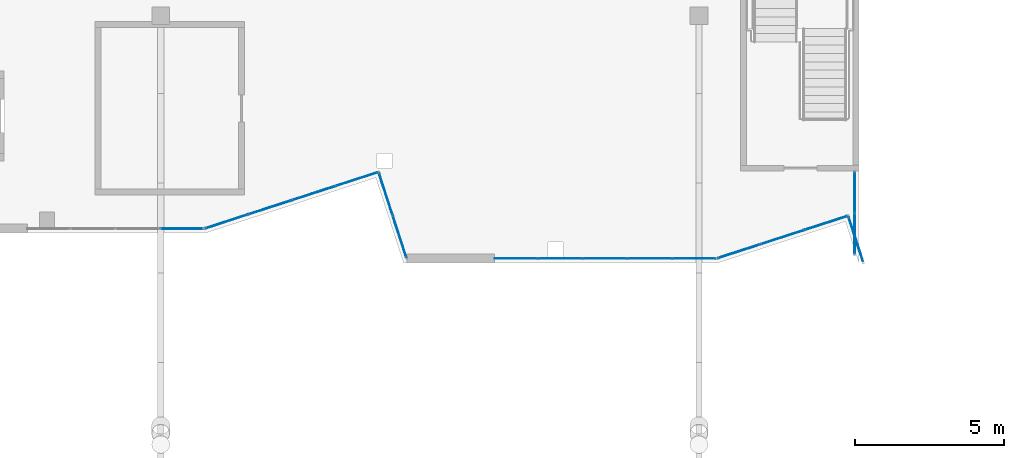
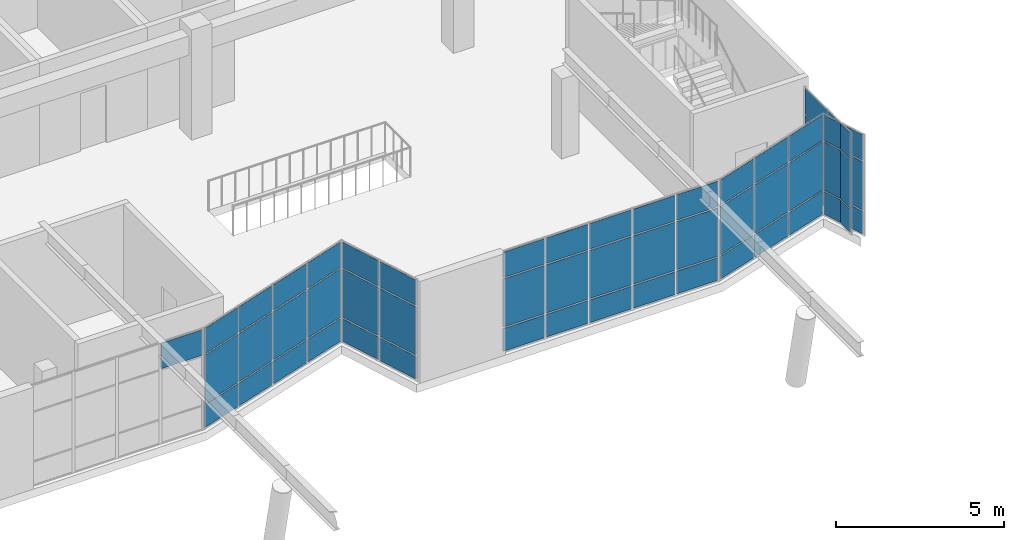
# One storey, part 48 of 65: 52 plates, 7 elements without a shape of their own.
"""IFC4 building model written with IfcOpenShell, lengths in metres."""

from ifc_helpers import new_model, si_unit, direction, frame, origin, origin_2d, place, context, subcontext, project, spatial, rectangle, extrude, material, layer, layer_set, type_object, element, aggregate, save


model = new_model("IFC4")

# Units and contexts
model_context = context("Model", 3, precision=1e-05, world=origin(), true_north=direction((0.0, 1.0)))
body_context = subcontext(model_context, "Body", "Model", "MODEL_VIEW")
ifc_project = project(units=[si_unit("LENGTHUNIT", "METRE"), si_unit("AREAUNIT", "SQUARE_METRE"), si_unit("VOLUMEUNIT", "CUBIC_METRE"), si_unit("PLANEANGLEUNIT", "RADIAN"), si_unit("MASSUNIT", "GRAM", prefix="KILO")], contexts=[model_context])

# Site, building, storey
site_placement = place(None, origin())
site = spatial("IfcSite", under=ifc_project, at=site_placement, CompositionType="ELEMENT")
building_placement = place(site_placement, origin())
building = spatial("IfcBuilding", under=site, at=building_placement, Name="Tuart Plaza Theatre", CompositionType="ELEMENT")
storey_placement = place(building_placement, frame((0.0, 0.0, 9.5)))
storey = spatial("IfcBuildingStorey", under=building, at=storey_placement, Name="L02", CompositionType="ELEMENT", Elevation=9.5)

# Curtain wall, plate
ifc_material_1 = material(Name="Aluminium and glass", Category="aluminium")
ifc_layer_1 = layer(ifc_material_1, 0.10009765625)
ifc_layer_set_1 = layer_set([ifc_layer_1], Name="CURTAIN WALL 1500 module")
curtain_wall_type = type_object("IfcCurtainWallType", Name="CURTAIN WALL 1500 module", PredefinedType="NOTDEFINED", material=ifc_layer_set_1)
curtain_wall_1_placement = place(storey_placement, origin())
curtain_wall_1 = element("IfcCurtainWall", 1, at=curtain_wall_1_placement, inside=storey, type_object=curtain_wall_type, Name="CW27", PredefinedType="NOTDEFINED")
ifc_material_2 = material(Name="Glass", Category="glass")
ifc_layer_2 = layer(ifc_material_2, 0.028076171875)
ifc_layer_set_2 = layer_set([ifc_layer_2], Name="CURTAIN PANEL double glazed 28")
plate_type = type_object("IfcPlateType", Name="CURTAIN PANEL double glazed 28", PredefinedType="CURTAIN_PANEL", material=ifc_layer_set_2)
plate_1_placement = place(storey_placement, frame((87.70361328125, 42.47802734375, 2.72509765625), z_axis=(0.0, 0.0, 1.0), x_axis=(1.0, 0.0, 0.0)))
plate_1 = element("IfcPlate", 2, at=plate_1_placement, type_object=plate_type, Name="CW27 panel 4.3", PredefinedType="CURTAIN_PANEL", context=body_context, shape_type="SweptSolid", body=[
    extrude(rectangle(XDim=1.4189453125, YDim=0.028076171875, at=origin_2d()), origin(), (0.0, 0.0, 1.0), 0.925048828125),
])
aggregate(curtain_wall_1, [plate_1])

# Curtain wall, plates
curtain_wall_2_placement = place(storey_placement, origin())
curtain_wall_2 = element("IfcCurtainWall", 3, at=curtain_wall_2_placement, inside=storey, type_object=curtain_wall_type, Name="CW28", PredefinedType="NOTDEFINED")
plate_2_placement = place(storey_placement, frame((89.203369140625, 42.718505859375, 0.0498046875), z_axis=(0.0, 0.0, 1.0), x_axis=(0.95105611396, 0.309018232632, 0.0)))
plate_2 = element("IfcPlate", 4, at=plate_2_placement, type_object=plate_type, Name="CW28 panel 1.1", PredefinedType="CURTAIN_PANEL", context=body_context, shape_type="SweptSolid", body=[
    extrude(rectangle(XDim=1.45654296875, YDim=0.028076171875, at=origin_2d()), origin(), (0.0, 0.0, 1.0), 0.824951171875),
])
plate_3_placement = place(storey_placement, frame((89.203369140625, 42.718505859375, 0.925048828125), z_axis=(0.0, 0.0, 1.0), x_axis=(0.95105611396, 0.309018232632, 0.0)))
plate_3 = element("IfcPlate", 5, at=plate_3_placement, type_object=plate_type, Name="CW28 panel 1.2", PredefinedType="CURTAIN_PANEL", context=body_context, shape_type="SweptSolid", body=[
    extrude(rectangle(XDim=1.45654296875, YDim=0.028076171875, at=origin_2d()), origin(), (0.0, 0.0, 1.0), 1.75),
])
plate_4_placement = place(storey_placement, frame((89.203369140625, 42.718505859375, 2.72509765625), z_axis=(0.0, 0.0, 1.0), x_axis=(0.95105611396, 0.309018232632, 0.0)))
plate_4 = element("IfcPlate", 6, at=plate_4_placement, type_object=plate_type, Name="CW28 panel 1.3", PredefinedType="CURTAIN_PANEL", context=body_context, shape_type="SweptSolid", body=[
    extrude(rectangle(XDim=1.45654296875, YDim=0.028076171875, at=origin_2d()), origin(), (0.0, 0.0, 1.0), 0.925048828125),
])
plate_5_placement = place(storey_placement, frame((90.64794921875, 43.18798828125, 0.0498046875), z_axis=(0.0, 0.0, 1.0), x_axis=(0.95105611396, 0.309018232632, 0.0)))
plate_5 = element("IfcPlate", 7, at=plate_5_placement, type_object=plate_type, Name="CW28 panel 2.1", PredefinedType="CURTAIN_PANEL", context=body_context, shape_type="SweptSolid", body=[
    extrude(rectangle(XDim=1.4814453125, YDim=0.028076171875, at=origin_2d()), origin(), (0.0, 0.0, 1.0), 0.824951171875),
])
plate_6_placement = place(storey_placement, frame((90.64794921875, 43.18798828125, 0.925048828125), z_axis=(0.0, 0.0, 1.0), x_axis=(0.95105611396, 0.309018232632, 0.0)))
plate_6 = element("IfcPlate", 8, at=plate_6_placement, type_object=plate_type, Name="CW28 panel 2.2", PredefinedType="CURTAIN_PANEL", context=body_context, shape_type="SweptSolid", body=[
    extrude(rectangle(XDim=1.4814453125, YDim=0.028076171875, at=origin_2d()), origin(), (0.0, 0.0, 1.0), 1.75),
])
plate_7_placement = place(storey_placement, frame((90.64794921875, 43.18798828125, 2.72509765625), z_axis=(0.0, 0.0, 1.0), x_axis=(0.95105611396, 0.309018232632, 0.0)))
plate_7 = element("IfcPlate", 9, at=plate_7_placement, type_object=plate_type, Name="CW28 panel 2.3", PredefinedType="CURTAIN_PANEL", context=body_context, shape_type="SweptSolid", body=[
    extrude(rectangle(XDim=1.4814453125, YDim=0.028076171875, at=origin_2d()), origin(), (0.0, 0.0, 1.0), 0.925048828125),
])
plate_8_placement = place(storey_placement, frame((92.1044921875, 43.6611328125, 0.0498046875), z_axis=(0.0, 0.0, 1.0), x_axis=(0.95105611396, 0.309018232632, 0.0)))
plate_8 = element("IfcPlate", 10, at=plate_8_placement, type_object=plate_type, Name="CW28 panel 3.1", PredefinedType="CURTAIN_PANEL", context=body_context, shape_type="SweptSolid", body=[
    extrude(rectangle(XDim=1.4814453125, YDim=0.028076171875, at=origin_2d()), origin(), (0.0, 0.0, 1.0), 0.824951171875),
])
plate_9_placement = place(storey_placement, frame((92.1044921875, 43.6611328125, 0.925048828125), z_axis=(0.0, 0.0, 1.0), x_axis=(0.95105611396, 0.309018232632, 0.0)))
plate_9 = element("IfcPlate", 11, at=plate_9_placement, type_object=plate_type, Name="CW28 panel 3.2", PredefinedType="CURTAIN_PANEL", context=body_context, shape_type="SweptSolid", body=[
    extrude(rectangle(XDim=1.4814453125, YDim=0.028076171875, at=origin_2d()), origin(), (0.0, 0.0, 1.0), 1.75),
])
plate_10_placement = place(storey_placement, frame((92.1044921875, 43.6611328125, 2.72509765625), z_axis=(0.0, 0.0, 1.0), x_axis=(0.95105611396, 0.309018232632, 0.0)))
plate_10 = element("IfcPlate", 12, at=plate_10_placement, type_object=plate_type, Name="CW28 panel 3.3", PredefinedType="CURTAIN_PANEL", context=body_context, shape_type="SweptSolid", body=[
    extrude(rectangle(XDim=1.4814453125, YDim=0.028076171875, at=origin_2d()), origin(), (0.0, 0.0, 1.0), 0.925048828125),
])
plate_11_placement = place(storey_placement, frame((93.549072265625, 44.130615234375, 0.0498046875), z_axis=(0.0, 0.0, 1.0), x_axis=(0.95105611396, 0.309018232632, 0.0)))
plate_11 = element("IfcPlate", 13, at=plate_11_placement, type_object=plate_type, Name="CW28 panel 4.1", PredefinedType="CURTAIN_PANEL", context=body_context, shape_type="SweptSolid", body=[
    extrude(rectangle(XDim=1.45654296875, YDim=0.028076171875, at=origin_2d()), origin(), (0.0, 0.0, 1.0), 0.824951171875),
])
plate_12_placement = place(storey_placement, frame((93.549072265625, 44.130615234375, 0.925048828125), z_axis=(0.0, 0.0, 1.0), x_axis=(0.95105611396, 0.309018232632, 0.0)))
plate_12 = element("IfcPlate", 14, at=plate_12_placement, type_object=plate_type, Name="CW28 panel 4.2", PredefinedType="CURTAIN_PANEL", context=body_context, shape_type="SweptSolid", body=[
    extrude(rectangle(XDim=1.45654296875, YDim=0.028076171875, at=origin_2d()), origin(), (0.0, 0.0, 1.0), 1.75),
])
plate_13_placement = place(storey_placement, frame((93.549072265625, 44.130615234375, 2.72509765625), z_axis=(0.0, 0.0, 1.0), x_axis=(0.95105611396, 0.309018232632, 0.0)))
plate_13 = element("IfcPlate", 15, at=plate_13_placement, type_object=plate_type, Name="CW28 panel 4.3", PredefinedType="CURTAIN_PANEL", context=body_context, shape_type="SweptSolid", body=[
    extrude(rectangle(XDim=1.45654296875, YDim=0.028076171875, at=origin_2d()), origin(), (0.0, 0.0, 1.0), 0.925048828125),
])
aggregate(curtain_wall_2, [plate_2, plate_3, plate_4, plate_5, plate_6, plate_7, plate_8, plate_9, plate_10, plate_11, plate_12, plate_13])

curtain_wall_3_placement = place(storey_placement, origin())
curtain_wall_3 = element("IfcCurtainWall", 16, at=curtain_wall_3_placement, inside=storey, type_object=curtain_wall_type, Name="CW29", PredefinedType="NOTDEFINED")
plate_14_placement = place(storey_placement, frame((94.528076171875, 43.63623046875, 0.0498046875), z_axis=(0.0, 0.0, 1.0), x_axis=(0.309018232665, -0.951056113949, 0.0)))
plate_14 = element("IfcPlate", 17, at=plate_14_placement, type_object=plate_type, Name="CW29 panel 1.1", PredefinedType="CURTAIN_PANEL", context=body_context, shape_type="SweptSolid", body=[
    extrude(rectangle(XDim=1.4453125, YDim=0.028076171875, at=origin_2d()), origin(), (0.0, 0.0, 1.0), 0.824951171875),
])
plate_15_placement = place(storey_placement, frame((94.528076171875, 43.63623046875, 0.925048828125), z_axis=(0.0, 0.0, 1.0), x_axis=(0.309018232665, -0.951056113949, 0.0)))
plate_15 = element("IfcPlate", 18, at=plate_15_placement, type_object=plate_type, Name="CW29 panel 1.2", PredefinedType="CURTAIN_PANEL", context=body_context, shape_type="SweptSolid", body=[
    extrude(rectangle(XDim=1.4453125, YDim=0.028076171875, at=origin_2d()), origin(), (0.0, 0.0, 1.0), 1.75),
])
plate_16_placement = place(storey_placement, frame((94.528076171875, 43.63623046875, 2.72509765625), z_axis=(0.0, 0.0, 1.0), x_axis=(0.309018232665, -0.951056113949, 0.0)))
plate_16 = element("IfcPlate", 19, at=plate_16_placement, type_object=plate_type, Name="CW29 panel 1.3", PredefinedType="CURTAIN_PANEL", context=body_context, shape_type="SweptSolid", body=[
    extrude(rectangle(XDim=1.4453125, YDim=0.028076171875, at=origin_2d()), origin(), (0.0, 0.0, 1.0), 0.925048828125),
])
plate_17_placement = place(storey_placement, frame((94.990234375, 42.2138671875, 0.0498046875), z_axis=(0.0, 0.0, 1.0), x_axis=(0.309018232665, -0.951056113949, 0.0)))
plate_17 = element("IfcPlate", 20, at=plate_17_placement, type_object=plate_type, Name="CW29 panel 2.1", PredefinedType="CURTAIN_PANEL", context=body_context, shape_type="SweptSolid", body=[
    extrude(rectangle(XDim=1.4453125, YDim=0.028076171875, at=origin_2d()), origin(), (0.0, 0.0, 1.0), 0.824951171875),
])
plate_18_placement = place(storey_placement, frame((94.990234375, 42.2138671875, 0.925048828125), z_axis=(0.0, 0.0, 1.0), x_axis=(0.309018232665, -0.951056113949, 0.0)))
plate_18 = element("IfcPlate", 21, at=plate_18_placement, type_object=plate_type, Name="CW29 panel 2.2", PredefinedType="CURTAIN_PANEL", context=body_context, shape_type="SweptSolid", body=[
    extrude(rectangle(XDim=1.4453125, YDim=0.028076171875, at=origin_2d()), origin(), (0.0, 0.0, 1.0), 1.75),
])
plate_19_placement = place(storey_placement, frame((94.990234375, 42.2138671875, 2.72509765625), z_axis=(0.0, 0.0, 1.0), x_axis=(0.309018232665, -0.951056113949, 0.0)))
plate_19 = element("IfcPlate", 22, at=plate_19_placement, type_object=plate_type, Name="CW29 panel 2.3", PredefinedType="CURTAIN_PANEL", context=body_context, shape_type="SweptSolid", body=[
    extrude(rectangle(XDim=1.4453125, YDim=0.028076171875, at=origin_2d()), origin(), (0.0, 0.0, 1.0), 0.925048828125),
])
aggregate(curtain_wall_3, [plate_14, plate_15, plate_16, plate_17, plate_18, plate_19])

curtain_wall_4_placement = place(storey_placement, origin())
curtain_wall_4 = element("IfcCurtainWall", 23, at=curtain_wall_4_placement, inside=storey, type_object=curtain_wall_type, Name="CW30", PredefinedType="NOTDEFINED")
plate_20_placement = place(storey_placement, frame((98.880126953125, 41.47900390625, 0.0498046875), z_axis=(0.0, 0.0, 1.0), x_axis=(1.0, 0.0, 0.0)))
plate_20 = element("IfcPlate", 24, at=plate_20_placement, type_object=plate_type, Name="CW30 panel 1.1", PredefinedType="CURTAIN_PANEL", context=body_context, shape_type="SweptSolid", body=[
    extrude(rectangle(XDim=1.420166015625, YDim=0.028076171875, at=origin_2d()), origin(), (0.0, 0.0, 1.0), 0.824951171875),
])
plate_21_placement = place(storey_placement, frame((98.880126953125, 41.47900390625, 0.925048828125), z_axis=(0.0, 0.0, 1.0), x_axis=(1.0, 0.0, 0.0)))
plate_21 = element("IfcPlate", 25, at=plate_21_placement, type_object=plate_type, Name="CW30 panel 1.2", PredefinedType="CURTAIN_PANEL", context=body_context, shape_type="SweptSolid", body=[
    extrude(rectangle(XDim=1.420166015625, YDim=0.028076171875, at=origin_2d()), origin(), (0.0, 0.0, 1.0), 1.75),
])
plate_22_placement = place(storey_placement, frame((98.880126953125, 41.47900390625, 2.72509765625), z_axis=(0.0, 0.0, 1.0), x_axis=(1.0, 0.0, 0.0)))
plate_22 = element("IfcPlate", 26, at=plate_22_placement, type_object=plate_type, Name="CW30 panel 1.3", PredefinedType="CURTAIN_PANEL", context=body_context, shape_type="SweptSolid", body=[
    extrude(rectangle(XDim=1.420166015625, YDim=0.028076171875, at=origin_2d()), origin(), (0.0, 0.0, 1.0), 0.925048828125),
])
plate_23_placement = place(storey_placement, frame((100.36279296875, 41.47900390625, 0.0498046875), z_axis=(0.0, 0.0, 1.0), x_axis=(1.0, 0.0, 0.0)))
plate_23 = element("IfcPlate", 27, at=plate_23_placement, type_object=plate_type, Name="CW30 panel 2.1", PredefinedType="CURTAIN_PANEL", context=body_context, shape_type="SweptSolid", body=[
    extrude(rectangle(XDim=1.4453125, YDim=0.028076171875, at=origin_2d()), origin(), (0.0, 0.0, 1.0), 0.824951171875),
])
plate_24_placement = place(storey_placement, frame((100.36279296875, 41.47900390625, 0.925048828125), z_axis=(0.0, 0.0, 1.0), x_axis=(1.0, 0.0, 0.0)))
plate_24 = element("IfcPlate", 28, at=plate_24_placement, type_object=plate_type, Name="CW30 panel 2.2", PredefinedType="CURTAIN_PANEL", context=body_context, shape_type="SweptSolid", body=[
    extrude(rectangle(XDim=1.4453125, YDim=0.028076171875, at=origin_2d()), origin(), (0.0, 0.0, 1.0), 1.75),
])
plate_25_placement = place(storey_placement, frame((100.36279296875, 41.47900390625, 2.72509765625), z_axis=(0.0, 0.0, 1.0), x_axis=(1.0, 0.0, 0.0)))
plate_25 = element("IfcPlate", 29, at=plate_25_placement, type_object=plate_type, Name="CW30 panel 2.3", PredefinedType="CURTAIN_PANEL", context=body_context, shape_type="SweptSolid", body=[
    extrude(rectangle(XDim=1.4453125, YDim=0.028076171875, at=origin_2d()), origin(), (0.0, 0.0, 1.0), 0.925048828125),
])
plate_26_placement = place(storey_placement, frame((101.858154296875, 41.47900390625, 0.0498046875), z_axis=(0.0, 0.0, 1.0), x_axis=(1.0, 0.0, 0.0)))
plate_26 = element("IfcPlate", 30, at=plate_26_placement, type_object=plate_type, Name="CW30 panel 3.1", PredefinedType="CURTAIN_PANEL", context=body_context, shape_type="SweptSolid", body=[
    extrude(rectangle(XDim=1.4453125, YDim=0.028076171875, at=origin_2d()), origin(), (0.0, 0.0, 1.0), 0.824951171875),
])
plate_27_placement = place(storey_placement, frame((101.858154296875, 41.47900390625, 0.925048828125), z_axis=(0.0, 0.0, 1.0), x_axis=(1.0, 0.0, 0.0)))
plate_27 = element("IfcPlate", 31, at=plate_27_placement, type_object=plate_type, Name="CW30 panel 3.2", PredefinedType="CURTAIN_PANEL", context=body_context, shape_type="SweptSolid", body=[
    extrude(rectangle(XDim=1.4453125, YDim=0.028076171875, at=origin_2d()), origin(), (0.0, 0.0, 1.0), 1.75),
])
plate_28_placement = place(storey_placement, frame((101.858154296875, 41.47900390625, 2.72509765625), z_axis=(0.0, 0.0, 1.0), x_axis=(1.0, 0.0, 0.0)))
plate_28 = element("IfcPlate", 32, at=plate_28_placement, type_object=plate_type, Name="CW30 panel 3.3", PredefinedType="CURTAIN_PANEL", context=body_context, shape_type="SweptSolid", body=[
    extrude(rectangle(XDim=1.4453125, YDim=0.028076171875, at=origin_2d()), origin(), (0.0, 0.0, 1.0), 0.925048828125),
])
plate_29_placement = place(storey_placement, frame((103.353271484375, 41.47900390625, 0.0498046875), z_axis=(0.0, 0.0, 1.0), x_axis=(1.0, 0.0, 0.0)))
plate_29 = element("IfcPlate", 33, at=plate_29_placement, type_object=plate_type, Name="CW30 panel 4.1", PredefinedType="CURTAIN_PANEL", context=body_context, shape_type="SweptSolid", body=[
    extrude(rectangle(XDim=1.4453125, YDim=0.028076171875, at=origin_2d()), origin(), (0.0, 0.0, 1.0), 0.824951171875),
])
plate_30_placement = place(storey_placement, frame((103.353271484375, 41.47900390625, 0.925048828125), z_axis=(0.0, 0.0, 1.0), x_axis=(1.0, 0.0, 0.0)))
plate_30 = element("IfcPlate", 34, at=plate_30_placement, type_object=plate_type, Name="CW30 panel 4.2", PredefinedType="CURTAIN_PANEL", context=body_context, shape_type="SweptSolid", body=[
    extrude(rectangle(XDim=1.4453125, YDim=0.028076171875, at=origin_2d()), origin(), (0.0, 0.0, 1.0), 1.75),
])
plate_31_placement = place(storey_placement, frame((103.353271484375, 41.47900390625, 2.72509765625), z_axis=(0.0, 0.0, 1.0), x_axis=(1.0, 0.0, 0.0)))
plate_31 = element("IfcPlate", 35, at=plate_31_placement, type_object=plate_type, Name="CW30 panel 4.3", PredefinedType="CURTAIN_PANEL", context=body_context, shape_type="SweptSolid", body=[
    extrude(rectangle(XDim=1.4453125, YDim=0.028076171875, at=origin_2d()), origin(), (0.0, 0.0, 1.0), 0.925048828125),
])
plate_32_placement = place(storey_placement, frame((104.836181640625, 41.47900390625, 0.0498046875), z_axis=(0.0, 0.0, 1.0), x_axis=(1.0, 0.0, 0.0)))
plate_32 = element("IfcPlate", 36, at=plate_32_placement, type_object=plate_type, Name="CW30 panel 5.1", PredefinedType="CURTAIN_PANEL", context=body_context, shape_type="SweptSolid", body=[
    extrude(rectangle(XDim=1.420166015625, YDim=0.028076171875, at=origin_2d()), origin(), (0.0, 0.0, 1.0), 0.824951171875),
])
plate_33_placement = place(storey_placement, frame((104.836181640625, 41.47900390625, 0.925048828125), z_axis=(0.0, 0.0, 1.0), x_axis=(1.0, 0.0, 0.0)))
plate_33 = element("IfcPlate", 37, at=plate_33_placement, type_object=plate_type, Name="CW30 panel 5.2", PredefinedType="CURTAIN_PANEL", context=body_context, shape_type="SweptSolid", body=[
    extrude(rectangle(XDim=1.420166015625, YDim=0.028076171875, at=origin_2d()), origin(), (0.0, 0.0, 1.0), 1.75),
])
plate_34_placement = place(storey_placement, frame((104.836181640625, 41.47900390625, 2.72509765625), z_axis=(0.0, 0.0, 1.0), x_axis=(1.0, 0.0, 0.0)))
plate_34 = element("IfcPlate", 38, at=plate_34_placement, type_object=plate_type, Name="CW30 panel 5.3", PredefinedType="CURTAIN_PANEL", context=body_context, shape_type="SweptSolid", body=[
    extrude(rectangle(XDim=1.420166015625, YDim=0.028076171875, at=origin_2d()), origin(), (0.0, 0.0, 1.0), 0.925048828125),
])
aggregate(curtain_wall_4, [plate_20, plate_21, plate_22, plate_23, plate_24, plate_25, plate_26, plate_27, plate_28, plate_29, plate_30, plate_31, plate_32, plate_33, plate_34])

curtain_wall_5_placement = place(storey_placement, origin())
curtain_wall_5 = element("IfcCurtainWall", 39, at=curtain_wall_5_placement, inside=storey, type_object=curtain_wall_type, Name="CW31", PredefinedType="NOTDEFINED")
plate_35_placement = place(storey_placement, frame((106.341552734375, 41.720947265625, 0.0498046875), z_axis=(0.0, 0.0, 1.0), x_axis=(0.951099369235, 0.308885075459, 0.0)))
plate_35 = element("IfcPlate", 40, at=plate_35_placement, type_object=plate_type, Name="CW31 panel 1.1", PredefinedType="CURTAIN_PANEL", context=body_context, shape_type="SweptSolid", body=[
    extrude(rectangle(XDim=1.467041015625, YDim=0.028076171875, at=origin_2d()), origin(), (0.0, 0.0, 1.0), 0.824951171875),
])
plate_36_placement = place(storey_placement, frame((106.341552734375, 41.720947265625, 0.925048828125), z_axis=(0.0, 0.0, 1.0), x_axis=(0.951099369235, 0.308885075459, 0.0)))
plate_36 = element("IfcPlate", 41, at=plate_36_placement, type_object=plate_type, Name="CW31 panel 1.2", PredefinedType="CURTAIN_PANEL", context=body_context, shape_type="SweptSolid", body=[
    extrude(rectangle(XDim=1.467041015625, YDim=0.028076171875, at=origin_2d()), origin(), (0.0, 0.0, 1.0), 1.75),
])
plate_37_placement = place(storey_placement, frame((106.341552734375, 41.720947265625, 2.72509765625), z_axis=(0.0, 0.0, 1.0), x_axis=(0.951099369235, 0.308885075459, 0.0)))
plate_37 = element("IfcPlate", 42, at=plate_37_placement, type_object=plate_type, Name="CW31 panel 1.3", PredefinedType="CURTAIN_PANEL", context=body_context, shape_type="SweptSolid", body=[
    extrude(rectangle(XDim=1.467041015625, YDim=0.028076171875, at=origin_2d()), origin(), (0.0, 0.0, 1.0), 0.925048828125),
])
plate_38_placement = place(storey_placement, frame((107.79638671875, 42.193603515625, 0.0498046875), z_axis=(0.0, 0.0, 1.0), x_axis=(0.951099369235, 0.308885075459, 0.0)))
plate_38 = element("IfcPlate", 43, at=plate_38_placement, type_object=plate_type, Name="CW31 panel 2.1", PredefinedType="CURTAIN_PANEL", context=body_context, shape_type="SweptSolid", body=[
    extrude(rectangle(XDim=1.4921875, YDim=0.028076171875, at=origin_2d()), origin(), (0.0, 0.0, 1.0), 0.824951171875),
])
plate_39_placement = place(storey_placement, frame((107.79638671875, 42.193603515625, 0.925048828125), z_axis=(0.0, 0.0, 1.0), x_axis=(0.951099369235, 0.308885075459, 0.0)))
plate_39 = element("IfcPlate", 44, at=plate_39_placement, type_object=plate_type, Name="CW31 panel 2.2", PredefinedType="CURTAIN_PANEL", context=body_context, shape_type="SweptSolid", body=[
    extrude(rectangle(XDim=1.4921875, YDim=0.028076171875, at=origin_2d()), origin(), (0.0, 0.0, 1.0), 1.75),
])
plate_40_placement = place(storey_placement, frame((107.79638671875, 42.193603515625, 2.72509765625), z_axis=(0.0, 0.0, 1.0), x_axis=(0.951099369235, 0.308885075459, 0.0)))
plate_40 = element("IfcPlate", 45, at=plate_40_placement, type_object=plate_type, Name="CW31 panel 2.3", PredefinedType="CURTAIN_PANEL", context=body_context, shape_type="SweptSolid", body=[
    extrude(rectangle(XDim=1.4921875, YDim=0.028076171875, at=origin_2d()), origin(), (0.0, 0.0, 1.0), 0.925048828125),
])
plate_41_placement = place(storey_placement, frame((109.251220703125, 42.666015625, 0.0498046875), z_axis=(0.0, 0.0, 1.0), x_axis=(0.951099369235, 0.308885075459, 0.0)))
plate_41 = element("IfcPlate", 46, at=plate_41_placement, type_object=plate_type, Name="CW31 panel 3.1", PredefinedType="CURTAIN_PANEL", context=body_context, shape_type="SweptSolid", body=[
    extrude(rectangle(XDim=1.467041015625, YDim=0.028076171875, at=origin_2d()), origin(), (0.0, 0.0, 1.0), 0.824951171875),
])
plate_42_placement = place(storey_placement, frame((109.251220703125, 42.666015625, 0.925048828125), z_axis=(0.0, 0.0, 1.0), x_axis=(0.951099369235, 0.308885075459, 0.0)))
plate_42 = element("IfcPlate", 47, at=plate_42_placement, type_object=plate_type, Name="CW31 panel 3.2", PredefinedType="CURTAIN_PANEL", context=body_context, shape_type="SweptSolid", body=[
    extrude(rectangle(XDim=1.467041015625, YDim=0.028076171875, at=origin_2d()), origin(), (0.0, 0.0, 1.0), 1.75),
])
plate_43_placement = place(storey_placement, frame((109.251220703125, 42.666015625, 2.72509765625), z_axis=(0.0, 0.0, 1.0), x_axis=(0.951099369235, 0.308885075459, 0.0)))
plate_43 = element("IfcPlate", 48, at=plate_43_placement, type_object=plate_type, Name="CW31 panel 3.3", PredefinedType="CURTAIN_PANEL", context=body_context, shape_type="SweptSolid", body=[
    extrude(rectangle(XDim=1.467041015625, YDim=0.028076171875, at=origin_2d()), origin(), (0.0, 0.0, 1.0), 0.925048828125),
])
aggregate(curtain_wall_5, [plate_35, plate_36, plate_37, plate_38, plate_39, plate_40, plate_41, plate_42, plate_43])

curtain_wall_6_placement = place(storey_placement, origin())
curtain_wall_6 = element("IfcCurtainWall", 49, at=curtain_wall_6_placement, inside=storey, type_object=curtain_wall_type, Name="CW32", PredefinedType="NOTDEFINED")
plate_44_placement = place(storey_placement, frame((110.2509765625, 42.123779296875, 0.0498046875), z_axis=(0.0, 0.0, 1.0), x_axis=(0.30881459025, -0.951122257572, 0.0)))
plate_44 = element("IfcPlate", 50, at=plate_44_placement, type_object=plate_type, Name="CW32 panel 1.1", PredefinedType="CURTAIN_PANEL", context=body_context, shape_type="SweptSolid", body=[
    extrude(rectangle(XDim=1.54931640625, YDim=0.028076171875, at=origin_2d()), origin(), (0.0, 0.0, 1.0), 0.824951171875),
])
plate_45_placement = place(storey_placement, frame((110.2509765625, 42.123779296875, 0.925048828125), z_axis=(0.0, 0.0, 1.0), x_axis=(0.30881459025, -0.951122257572, 0.0)))
plate_45 = element("IfcPlate", 51, at=plate_45_placement, type_object=plate_type, Name="CW32 panel 1.2", PredefinedType="CURTAIN_PANEL", context=body_context, shape_type="SweptSolid", body=[
    extrude(rectangle(XDim=1.54931640625, YDim=0.028076171875, at=origin_2d()), origin(), (0.0, 0.0, 1.0), 1.75),
])
plate_46_placement = place(storey_placement, frame((110.2509765625, 42.123779296875, 2.72509765625), z_axis=(0.0, 0.0, 1.0), x_axis=(0.30881459025, -0.951122257572, 0.0)))
plate_46 = element("IfcPlate", 52, at=plate_46_placement, type_object=plate_type, Name="CW32 panel 1.3", PredefinedType="CURTAIN_PANEL", context=body_context, shape_type="SweptSolid", body=[
    extrude(rectangle(XDim=1.54931640625, YDim=0.028076171875, at=origin_2d()), origin(), (0.0, 0.0, 1.0), 0.925048828125),
])
aggregate(curtain_wall_6, [plate_44, plate_45, plate_46])

curtain_wall_7_placement = place(storey_placement, origin())
curtain_wall_7 = element("IfcCurtainWall", 53, at=curtain_wall_7_placement, inside=storey, type_object=curtain_wall_type, Name="CW33", PredefinedType="NOTDEFINED")
plate_47_placement = place(storey_placement, frame((110.212890625, 42.30712890625, 0.0498046875), z_axis=(0.0, 0.0, 1.0), x_axis=(0.0, 1.0, 0.0)))
plate_47 = element("IfcPlate", 54, at=plate_47_placement, type_object=plate_type, Name="CW33 panel 1.1", PredefinedType="CURTAIN_PANEL", context=body_context, shape_type="SweptSolid", body=[
    extrude(rectangle(XDim=1.32861328125, YDim=0.028076171875, at=origin_2d()), origin(), (0.0, 0.0, 1.0), 0.824951171875),
])
plate_48_placement = place(storey_placement, frame((110.212890625, 42.30712890625, 0.925048828125), z_axis=(0.0, 0.0, 1.0), x_axis=(0.0, 1.0, 0.0)))
plate_48 = element("IfcPlate", 55, at=plate_48_placement, type_object=plate_type, Name="CW33 panel 1.2", PredefinedType="CURTAIN_PANEL", context=body_context, shape_type="SweptSolid", body=[
    extrude(rectangle(XDim=1.32861328125, YDim=0.028076171875, at=origin_2d()), origin(), (0.0, 0.0, 1.0), 1.75),
])
plate_49_placement = place(storey_placement, frame((110.212890625, 42.30712890625, 2.72509765625), z_axis=(0.0, 0.0, 1.0), x_axis=(0.0, 1.0, 0.0)))
plate_49 = element("IfcPlate", 56, at=plate_49_placement, type_object=plate_type, Name="CW33 panel 1.3", PredefinedType="CURTAIN_PANEL", context=body_context, shape_type="SweptSolid", body=[
    extrude(rectangle(XDim=1.32861328125, YDim=0.028076171875, at=origin_2d()), origin(), (0.0, 0.0, 1.0), 0.925048828125),
])
plate_50_placement = place(storey_placement, frame((110.212890625, 43.685791015625, 0.0498046875), z_axis=(0.0, 0.0, 1.0), x_axis=(0.0, 1.0, 0.0)))
plate_50 = element("IfcPlate", 57, at=plate_50_placement, type_object=plate_type, Name="CW33 panel 2.1", PredefinedType="CURTAIN_PANEL", context=body_context, shape_type="SweptSolid", body=[
    extrude(rectangle(XDim=1.32861328125, YDim=0.028076171875, at=origin_2d()), origin(), (0.0, 0.0, 1.0), 0.824951171875),
])
plate_51_placement = place(storey_placement, frame((110.212890625, 43.685791015625, 0.925048828125), z_axis=(0.0, 0.0, 1.0), x_axis=(0.0, 1.0, 0.0)))
plate_51 = element("IfcPlate", 58, at=plate_51_placement, type_object=plate_type, Name="CW33 panel 2.2", PredefinedType="CURTAIN_PANEL", context=body_context, shape_type="SweptSolid", body=[
    extrude(rectangle(XDim=1.32861328125, YDim=0.028076171875, at=origin_2d()), origin(), (0.0, 0.0, 1.0), 1.75),
])
plate_52_placement = place(storey_placement, frame((110.212890625, 43.685791015625, 2.72509765625), z_axis=(0.0, 0.0, 1.0), x_axis=(0.0, 1.0, 0.0)))
plate_52 = element("IfcPlate", 59, at=plate_52_placement, type_object=plate_type, Name="CW33 panel 2.3", PredefinedType="CURTAIN_PANEL", context=body_context, shape_type="SweptSolid", body=[
    extrude(rectangle(XDim=1.32861328125, YDim=0.028076171875, at=origin_2d()), origin(), (0.0, 0.0, 1.0), 0.925048828125),
])
aggregate(curtain_wall_7, [plate_47, plate_48, plate_49, plate_50, plate_51, plate_52])

save(model, "model.ifc")
